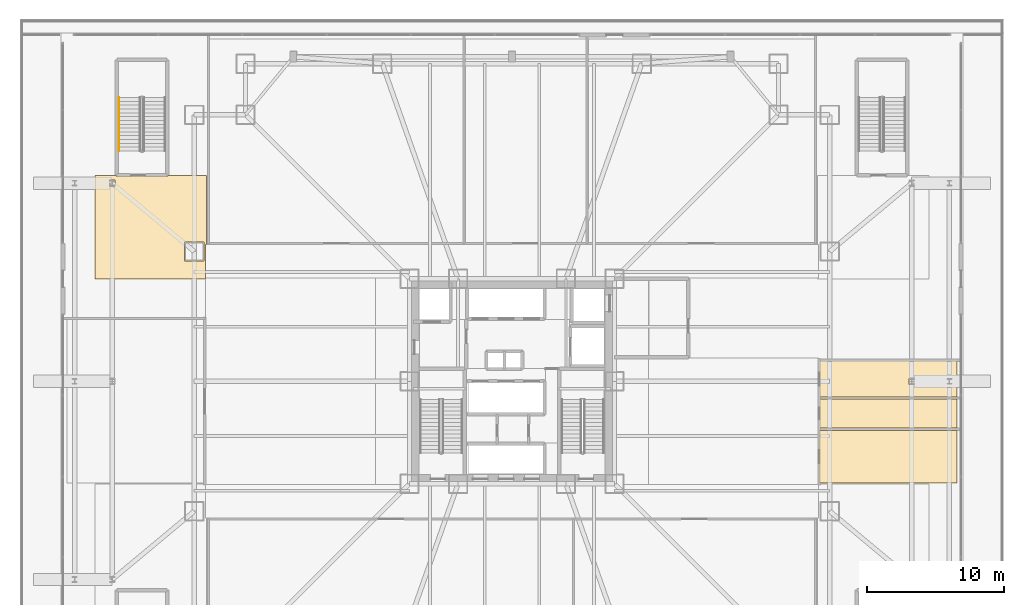
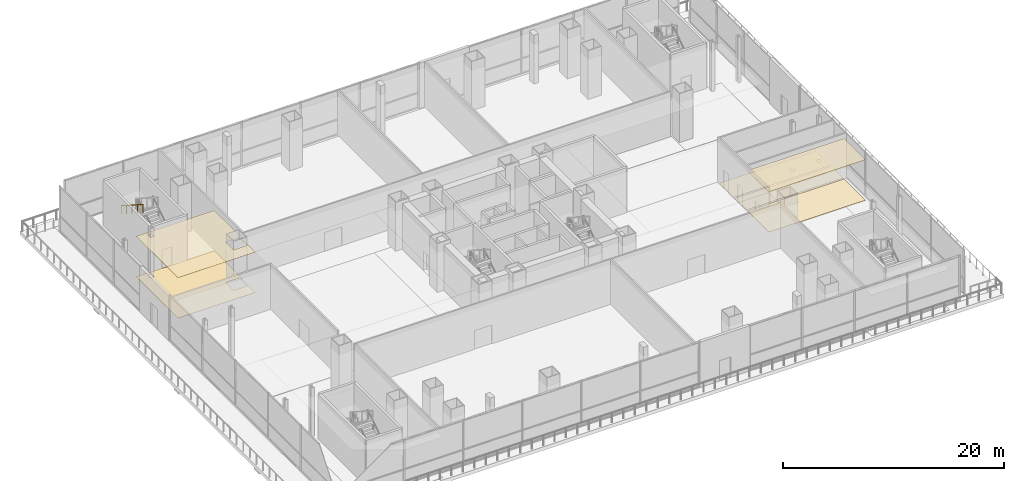
# One storey, part 32 of 36: 6 coverings, 1 railing.
"""IFC4 building model written with IfcOpenShell, lengths in metres."""

import ifcopenshell
import ifcopenshell.guid

model = None  # the IFC model being written
_history = None  # IfcOwnerHistory: only IFC2X3 demands one
_inside = {}  # id of a spatial element -> (the spatial element, [elements in it])
_under = {}  # id of a project, library or spatial element -> (it, [spatial elements below it])
_declared = {}  # id of a project -> (the project, [libraries it declares])
_typed = {}  # id of a type object -> (the type object, [elements of that type])
_made_of = {}  # id of a material, layer set ... -> (it, [elements and type objects made of it])


def new_model(schema):
    """Start an empty IFC model of exactly this schema.

    Asked for "IFC4X3", IfcOpenShell would pick the latest addendum, in which some entities
    have other attributes; the version numbers below select the first issue.
    IFC2X3 requires an IfcOwnerHistory on every rooted entity: one is made here for all.
    """
    global model, _history
    if schema == "IFC4X3":
        model = ifcopenshell.file(schema_version=(4, 3, 0, 0))
    else:
        model = ifcopenshell.file(schema=schema)
    _inside.clear()
    _under.clear()
    _declared.clear()
    _typed.clear()
    _made_of.clear()
    _history = None
    if model.schema == "IFC2X3":
        org = make("IfcOrganization", Name="unknown")
        user = make(
            "IfcPersonAndOrganization",
            ThePerson=make("IfcPerson", FamilyName="unknown"),
            TheOrganization=org,
        )
        app = make(
            "IfcApplication",
            ApplicationDeveloper=org,
            Version="unknown",
            ApplicationFullName="unknown",
            ApplicationIdentifier="unknown",
        )
        _history = make(
            "IfcOwnerHistory",
            OwningUser=user,
            OwningApplication=app,
            ChangeAction="ADDED",
            CreationDate=0,
        )
    return model


def make(cls, **values):
    """One entity of the class cls with the attributes given. An attribute that is None is left unset."""
    return model.create_entity(
        cls, **{name: value for name, value in values.items() if value is not None}
    )


def rooted(cls, **values):
    """An entity with a GlobalId (a new one), such as an element, a storey or a relation."""
    return make(cls, GlobalId=ifcopenshell.guid.new(), OwnerHistory=_history, **values)


def si_unit(unit_type, name, prefix=None):
    """IfcSIUnit, for example si_unit("LENGTHUNIT", "METRE", prefix="MILLI")."""
    return make("IfcSIUnit", UnitType=unit_type, Prefix=prefix, Name=name)


def assignment(units):
    """IfcUnitAssignment: the units of a project."""
    return None if units is None else make("IfcUnitAssignment", Units=units)


def point(xyz):
    """IfcCartesianPoint."""
    return None if xyz is None else make("IfcCartesianPoint", Coordinates=xyz)


def direction(xyz):
    """IfcDirection."""
    return None if xyz is None else make("IfcDirection", DirectionRatios=xyz)


def frame(location, z_axis=None, x_axis=None):
    """IfcAxis2Placement3D, a coordinate frame: its origin and axes. An axis left out is left unset."""
    return make(
        "IfcAxis2Placement3D",
        Location=point(location),
        Axis=direction(z_axis),
        RefDirection=direction(x_axis),
    )


def frame_2d(location, x_axis=None):
    """IfcAxis2Placement2D, a coordinate frame in the plane: its origin and x axis."""
    return make(
        "IfcAxis2Placement2D", Location=point(location), RefDirection=direction(x_axis)
    )


def origin():
    """The frame at (0, 0, 0) with its axes left unset."""
    return frame((0.0, 0.0, 0.0))


def origin_2d():
    """The frame at (0, 0) in the plane with its x axis left unset."""
    return frame_2d((0.0, 0.0))


def place(relative_to, where):
    """IfcLocalPlacement: puts the frame where relative to a parent placement (None: the world)."""
    return make(
        "IfcLocalPlacement", PlacementRelTo=relative_to, RelativePlacement=where
    )


def context(
    kind, dimensions, precision=None, world=None, true_north=None, identifier=None
):
    """IfcGeometricRepresentationContext, for example the 3D "Model" context."""
    return make(
        "IfcGeometricRepresentationContext",
        ContextIdentifier=identifier,
        ContextType=kind,
        CoordinateSpaceDimension=dimensions,
        Precision=precision,
        WorldCoordinateSystem=world,
        TrueNorth=true_north,
    )


def subcontext(parent, identifier, kind, view, scale=None):
    """IfcGeometricRepresentationSubContext, for example "Body" below "Model"."""
    return make(
        "IfcGeometricRepresentationSubContext",
        ContextIdentifier=identifier,
        ContextType=kind,
        ParentContext=parent,
        TargetScale=scale,
        TargetView=view,
    )


def project(units=None, contexts=None):
    """IfcProject with its units and contexts."""
    return rooted(
        "IfcProject",
        Name="project",
        RepresentationContexts=contexts,
        UnitsInContext=assignment(units),
    )


def spatial(cls, under=None, at=None, **own):
    """A site, building, storey or space (cls), placed at a placement, below another one or the project."""
    s = rooted(cls, ObjectPlacement=at, **own)
    if under is not None:
        _under.setdefault(under.id(), (under, []))[1].append(s)
    return s


def polyline(points):
    """IfcPolyline through the points."""
    return make("IfcPolyline", Points=[point(p) for p in points])


def profile(cls, at=None, kind="AREA", **sizes):
    """A parametric profile (cls). Its sizes go by their IFC names, for example OverallWidth=200.0."""
    return make(cls, ProfileType=kind, Position=at, **sizes)


def circle(**sizes):
    """IfcCircleProfileDef."""
    return profile("IfcCircleProfileDef", **sizes)


def outline(outer, holes=None, kind="AREA"):
    """IfcArbitraryClosedProfileDef: a profile drawn as a closed curve; with holes, ...WithVoids."""
    if holes is None:
        return make("IfcArbitraryClosedProfileDef", ProfileType=kind, OuterCurve=outer)
    return make(
        "IfcArbitraryProfileDefWithVoids",
        ProfileType=kind,
        OuterCurve=outer,
        InnerCurves=holes,
    )


def extrude(swept, where, along, depth):
    """IfcExtrudedAreaSolid: the profile swept, set in the frame where, extruded along a direction by depth."""
    return make(
        "IfcExtrudedAreaSolid",
        SweptArea=swept,
        Position=where,
        ExtrudedDirection=direction(along),
        Depth=depth,
    )


def shape(context_of_items, identifier, shape_type, items):
    """IfcShapeRepresentation: the items that make up one representation, for example the "Body"."""
    return make(
        "IfcShapeRepresentation",
        ContextOfItems=context_of_items,
        RepresentationIdentifier=identifier,
        RepresentationType=shape_type,
        Items=items,
    )


def material(Name=None, Category=None):
    """IfcMaterial."""
    return make("IfcMaterial", Name=Name, Category=Category)


def layer(
    of_material, thickness, ventilated=None, Name=None, Category=None, Priority=None
):
    """IfcMaterialLayer: one layer of a wall or slab, of a material (None: an air gap)."""
    return make(
        "IfcMaterialLayer",
        Material=of_material,
        LayerThickness=thickness,
        IsVentilated=ventilated,
        Name=Name,
        Category=Category,
        Priority=Priority,
    )


def layer_set(layers, Name=None):
    """IfcMaterialLayerSet."""
    return make("IfcMaterialLayerSet", MaterialLayers=layers, LayerSetName=Name)


def made_of(thing, what):
    """Note that an element or type object is made of a material, layer set ...; save() writes the relation."""
    if what is not None:
        _made_of.setdefault(what.id(), (what, []))[1].append(thing)
    return thing


def type_object(cls, material=None, **own):
    """A type object (cls), such as IfcWallType, which elements share."""
    return made_of(rooted(cls, **own), material)


def element(
    cls,
    number,
    at=None,
    inside=None,
    cuts=None,
    type_object=None,
    material=None,
    context=None,
    identifier="Body",
    shape_type=None,
    held_by="IfcProductDefinitionShape",
    body=None,
    shapes=None,
    **own,
):
    """One element of the class cls, such as IfcWall. Its Tag is "e" and its number.

    at: its placement. inside: the storey or other place that contains it. cuts: it is an
    opening in that element (IfcRelVoidsElement). A single representation is given by context,
    identifier, shape_type and body (its items); several are given by shapes. held_by: the class
    of the entity that holds the representations. save() writes the other relations.
    """
    e = rooted(cls, Tag="e%d" % number, ObjectPlacement=at, **own)
    if body is not None:
        shapes = [shape(context, identifier, shape_type, body)]
    if shapes is not None:
        e.Representation = make(held_by, Representations=shapes)
    if inside is not None:
        _inside.setdefault(inside.id(), (inside, []))[1].append(e)
    if cuts is not None:
        rooted(
            "IfcRelVoidsElement", RelatingBuildingElement=cuts, RelatedOpeningElement=e
        )
    if type_object is not None:
        _typed.setdefault(type_object.id(), (type_object, []))[1].append(e)
    return made_of(e, material)


def aggregate(whole, parts):
    """IfcRelAggregates: a whole, such as a stair, and the parts it consists of."""
    return rooted("IfcRelAggregates", RelatingObject=whole, RelatedObjects=parts)


def save(model, path):
    """Write the relations noted so far, then the file.

    IfcRelAggregates (storeys below a building ...), IfcRelContainedInSpatialStructure (elements
    in a storey), IfcRelDefinesByType, IfcRelAssociatesMaterial and IfcRelDeclares: one each for
    every whole, place, type object, material and project.
    """
    for whole, parts in _under.values():
        aggregate(whole, parts)
    for where, things in _inside.values():
        rooted(
            "IfcRelContainedInSpatialStructure",
            RelatedElements=things,
            RelatingStructure=where,
        )
    for kind, things in _typed.values():
        rooted("IfcRelDefinesByType", RelatedObjects=things, RelatingType=kind)
    for what, things in _made_of.values():
        rooted("IfcRelAssociatesMaterial", RelatedObjects=things, RelatingMaterial=what)
    for by, libraries in _declared.values():
        rooted("IfcRelDeclares", RelatingContext=by, RelatedDefinitions=libraries)
    model.write(path)


model = new_model("IFC4")

# Units and contexts
model_context = context("Model", 3, precision=1e-05, world=origin(), true_north=direction((0.0, 1.0)))
body_context = subcontext(model_context, "Body", "Model", "MODEL_VIEW")
ifc_project = project(units=[si_unit("LENGTHUNIT", "METRE"), si_unit("AREAUNIT", "SQUARE_METRE"), si_unit("VOLUMEUNIT", "CUBIC_METRE"), si_unit("PLANEANGLEUNIT", "RADIAN"), si_unit("MASSUNIT", "GRAM", prefix="KILO")], contexts=[model_context])

# Site, building, storey
site_placement = place(None, origin())
site = spatial("IfcSite", under=ifc_project, at=site_placement, CompositionType="ELEMENT")
building_placement = place(site_placement, origin())
building = spatial("IfcBuilding", under=site, at=building_placement, Name="Trevonay Congress Spire", CompositionType="ELEMENT")
storey_placement = place(building_placement, frame((0.0, 0.0, 16.199951171875)))
storey = spatial("IfcBuildingStorey", under=building, at=storey_placement, Name="L03", CompositionType="ELEMENT", Elevation=16.199951171875)

# Coverings
ifc_material_1 = material(Name="Acoustic Mineral Fibre Board", Category="gypsum")
ifc_layer_1 = layer(ifc_material_1, 0.02490234375, Name="Acoustic Mineral Fibre Board")
ifc_layer_set_1 = layer_set([ifc_layer_1], Name="Acoustic Mineral Fibre Board")
covering_type_1 = type_object("IfcCoveringType", Name="COV-CEIL-ACOUSTIC", PredefinedType="CEILING", material=ifc_layer_set_1)
covering_1_placement = place(storey_placement, frame((0.0, 0.0, 4.449951171875)))
element("IfcCovering", 1, at=covering_1_placement, inside=storey, type_object=covering_type_1, Name="L03 Ballroom AV Control Office acoustic suspended ceiling", PredefinedType="CEILING", context=body_context, shape_type="SweptSolid", body=[
    extrude(outline(polyline([(22.47998046875, -7.449951171875), (32.550048828125, -7.449951171875), (32.550048828125, -3.580078125), (22.47998046875, -3.580078125), (22.47998046875, -7.449951171875)])), origin(), (0.0, 0.0, 1.0), 0.025146484375),
])
covering_2_placement = place(storey_placement, frame((0.0, 0.0, 4.449951171875)))
element("IfcCovering", 2, at=covering_2_placement, inside=storey, type_object=covering_type_1, Name="L03 L03 Stair Lobby NW acoustic suspended ceiling", PredefinedType="CEILING", context=body_context, shape_type="SweptSolid", body=[
    extrude(outline(polyline([(-25.169921875, 15.02001953125), (-25.169921875, 15.050048828125), (-22.35009765625, 15.050048828125), (-22.35009765625, 10.0), (-22.419921875, 10.0), (-22.419921875, 7.550048828125), (-22.419921875, 7.5), (-30.5, 7.5), (-30.5, 15.050048828125), (-28.97998046875, 15.050048828125), (-28.97998046875, 15.02001953125), (-25.169921875, 15.02001953125)]), holes=[polyline([(-22.5400390625, 8.7900390625), (-22.5400390625, 10.2099609375), (-23.9599609375, 10.2099609375), (-23.9599609375, 8.7900390625), (-22.5400390625, 8.7900390625)]), polyline([(-29.055908203125, 14.277587890625), (-29.055908203125, 14.722412109375), (-29.444091796875, 14.722412109375), (-29.444091796875, 14.277587890625), (-29.055908203125, 14.277587890625)])]), origin(), (0.0, 0.0, 1.0), 0.025146484375),
])
ifc_material_2 = material(Name="Polished Granite Floor Tile", Category="masonry")
ifc_layer_2 = layer(ifc_material_2, 0.02001953125, Name="Polished Granite Floor Tile")
ifc_layer_set_2 = layer_set([ifc_layer_2], Name="Polished Granite Floor Tile")
covering_type_2 = type_object("IfcCoveringType", Name="COV-FLOOR-STONE", PredefinedType="FLOORING", material=ifc_layer_set_2)
covering_3_placement = place(storey_placement, origin())
element("IfcCovering", 3, at=covering_3_placement, inside=storey, type_object=covering_type_2, Name="L03 Female Restroom WC floor finish", PredefinedType="FLOORING", context=body_context, shape_type="SweptSolid", body=[
    extrude(outline(polyline([(22.47998046875, -3.419921875), (32.550048828125, -3.419921875), (32.550048828125, -1.300048828125), (22.47998046875, -1.300048828125), (22.47998046875, -3.419921875)])), origin(), (0.0, 0.0, 1.0), 0.02001953125),
])
covering_4_placement = place(storey_placement, origin())
element("IfcCovering", 4, at=covering_4_placement, inside=storey, type_object=covering_type_2, Name="L03 Floor Supplies and Copy Room floor finish", PredefinedType="FLOORING", context=body_context, shape_type="SweptSolid", body=[
    extrude(outline(polyline([(22.47998046875, 1.469970703125), (32.550048828125, 1.469970703125), (32.550048828125, -1.139892578125), (22.47998046875, -1.139892578125), (22.47998046875, 1.469970703125)]), holes=[polyline([(29.055908203125, -0.222412109375), (29.444091796875, -0.222412109375), (29.444091796875, 0.222412109375), (29.055908203125, 0.222412109375), (29.055908203125, -0.222412109375)]), polyline([(31.824951171875, -0.199951171875), (32.175048828125, -0.199951171875), (32.175048828125, 0.199951171875), (31.824951171875, 0.199951171875), (31.824951171875, -0.199951171875)])]), origin(), (0.0, 0.0, 1.0), 0.02001953125),
])
covering_5_placement = place(storey_placement, origin())
element("IfcCovering", 5, at=covering_5_placement, inside=storey, type_object=covering_type_2, Name="L03 L03 Stair Lobby NW floor finish", PredefinedType="FLOORING", context=body_context, shape_type="SweptSolid", body=[
    extrude(outline(polyline([(-25.169921875, 15.02001953125), (-25.169921875, 15.050048828125), (-22.35009765625, 15.050048828125), (-22.35009765625, 10.0), (-22.419921875, 10.0), (-22.419921875, 7.550048828125), (-22.419921875, 7.5), (-30.5, 7.5), (-30.5, 15.050048828125), (-28.97998046875, 15.050048828125), (-28.97998046875, 15.02001953125), (-25.169921875, 15.02001953125)]), holes=[polyline([(-22.5400390625, 8.7900390625), (-22.5400390625, 10.2099609375), (-23.9599609375, 10.2099609375), (-23.9599609375, 8.7900390625), (-22.5400390625, 8.7900390625)]), polyline([(-29.055908203125, 14.277587890625), (-29.055908203125, 14.722412109375), (-29.444091796875, 14.722412109375), (-29.444091796875, 14.277587890625), (-29.055908203125, 14.277587890625)])]), origin(), (0.0, 0.0, 1.0), 0.02001953125),
])
ifc_material_3 = material(Name="Engineered Oak Flooring", Category="wood")
ifc_layer_3 = layer(ifc_material_3, 0.01806640625, Name="Engineered Oak Flooring")
ifc_layer_set_3 = layer_set([ifc_layer_3], Name="Engineered Oak Flooring")
covering_type_3 = type_object("IfcCoveringType", Name="COV-FLOOR-TIMBER", PredefinedType="FLOORING", material=ifc_layer_set_3)
covering_6_placement = place(storey_placement, origin())
element("IfcCovering", 6, at=covering_6_placement, inside=storey, type_object=covering_type_3, Name="L03 Ballroom AV Control Office floor finish", PredefinedType="FLOORING", context=body_context, shape_type="SweptSolid", body=[
    extrude(outline(polyline([(22.47998046875, -7.449951171875), (32.550048828125, -7.449951171875), (32.550048828125, -3.580078125), (22.47998046875, -3.580078125), (22.47998046875, -7.449951171875)])), origin(), (0.0, 0.0, 1.0), 0.01806640625),
])

# Railing
ifc_material_4 = material(Name="Pale Anodised Aluminium EN AW-6063-T6", Category="aluminium")
railing_type = type_object("IfcRailingType", Name="RAL-STAIR-HANDRAIL", PredefinedType="HANDRAIL", material=ifc_material_4)
railing_placement = place(storey_placement, frame((-28.75, 20.77001953125, 2.880126953125)))
element("IfcRailing", 7, at=railing_placement, inside=storey, type_object=railing_type, Name="L03 ST-5 stair handrail 2", PredefinedType="HANDRAIL", context=body_context, shape_type="SweptSolid", body=[
    extrude(circle(Radius=0.02392578125, at=origin_2d()), frame((0.0, 0.0, 0.8759765625), z_axis=(0.0, -0.841171666519, 0.540768182723), x_axis=(1.0, 0.0, 0.0)), (0.0, 0.0, 1.0), 4.66015625),
    extrude(circle(Radius=0.02099609375, at=origin_2d()), origin(), (0.0, 0.0, 1.0), 0.851806640625),
    extrude(circle(Radius=0.02099609375, at=origin_2d()), frame((0.0, -0.97998046875, 0.6298828125)), (0.0, 0.0, 1.0), 0.851806640625),
    extrude(circle(Radius=0.02099609375, at=origin_2d()), frame((0.0, -1.9599609375, 1.260009765625)), (0.0, 0.0, 1.0), 0.851806640625),
    extrude(circle(Radius=0.02099609375, at=origin_2d()), frame((0.0, -2.93994140625, 1.89013671875)), (0.0, 0.0, 1.0), 0.851806640625),
    extrude(circle(Radius=0.02099609375, at=origin_2d()), frame((0.0, -3.919921875, 2.52001953125)), (0.0, 0.0, 1.0), 0.851806640625),
])

save(model, "model.ifc")
